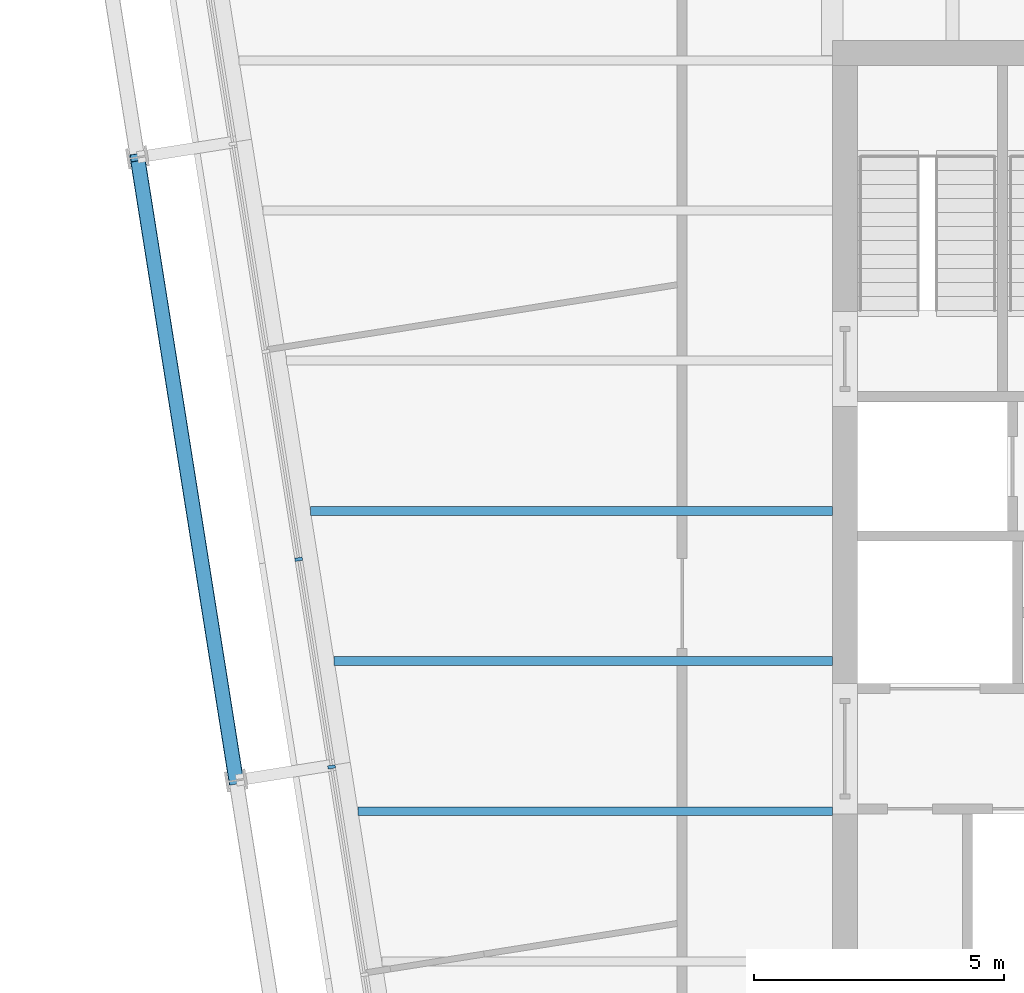
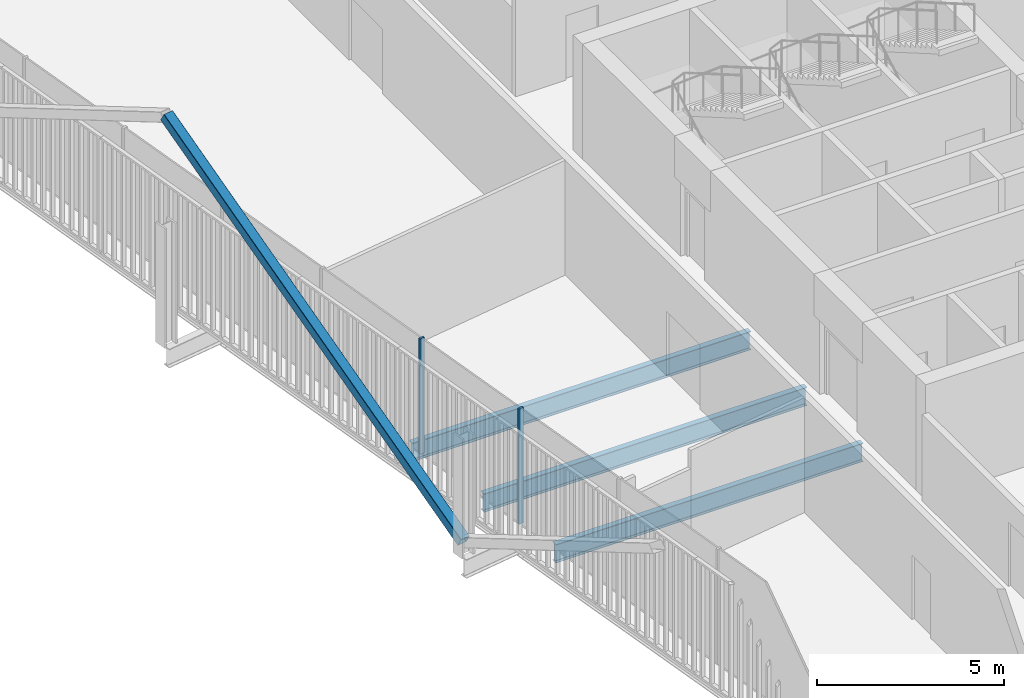
# One storey, part 5 of 21: 3 beams, 3 members, 1 element without a shape of its own.
"""IFC4 building model written with IfcOpenShell, lengths in metres."""

from ifc_helpers import new_model, si_unit, direction, frame, origin, origin_2d, place, context, subcontext, project, spatial, rectangle, hollow_rectangle, i_section, extrude, material, layer, layer_set, material_profile, profile_set, type_object, element, aggregate, save


model = new_model("IFC4")

# Units and contexts
model_context = context("Model", 3, precision=1e-05, world=origin(), true_north=direction((0.0, 1.0)))
body_context = subcontext(model_context, "Body", "Model", "MODEL_VIEW")
ifc_project = project(units=[si_unit("LENGTHUNIT", "METRE"), si_unit("AREAUNIT", "SQUARE_METRE"), si_unit("VOLUMEUNIT", "CUBIC_METRE"), si_unit("PLANEANGLEUNIT", "RADIAN"), si_unit("MASSUNIT", "GRAM", prefix="KILO")], contexts=[model_context])

# Site, building, storey
site_placement = place(None, origin())
site = spatial("IfcSite", under=ifc_project, at=site_placement, CompositionType="ELEMENT")
building_placement = place(site_placement, origin())
building = spatial("IfcBuilding", under=site, at=building_placement, Name="Millrace Tower", CompositionType="ELEMENT")
storey_placement = place(building_placement, frame((0.0, 0.0, 212.5)))
storey = spatial("IfcBuildingStorey", under=building, at=storey_placement, Name="L48", CompositionType="ELEMENT", Elevation=212.5)

# Curtain wall, members
ifc_material_1 = material(Name="Aluminium and glass", Category="aluminium")
ifc_layer = layer(ifc_material_1, 0.14990234375)
ifc_layer_set = layer_set([ifc_layer], Name="Aluminium and glass")
curtain_wall_type = type_object("IfcCurtainWallType", Name="CW-1 office vision curtain wall", PredefinedType="NOTDEFINED", material=ifc_layer_set)
curtain_wall_placement = place(storey_placement, origin())
curtain_wall = element("IfcCurtainWall", 1, at=curtain_wall_placement, inside=storey, type_object=curtain_wall_type, Name="Curtain wall D-F08 L48", PredefinedType="NOTDEFINED")
ifc_material_2 = material(Name="Aluminium", Category="aluminium")
ifc_material_profile_1 = material_profile(ifc_material_2, rectangle(XDim=0.06494140625, YDim=0.14990234375, at=origin_2d()))
ifc_profile_set_1 = profile_set([ifc_material_profile_1], Name="Aluminium")
member_type_1 = type_object("IfcMemberType", Name="CW-1 office vision curtain wall mullion", PredefinedType="MULLION", material=ifc_profile_set_1)
member_1_placement = place(storey_placement, frame((-25.057373046875, -0.966064453125, 0.139892578125), z_axis=(0.0, 0.0, 1.0), x_axis=(0.156434471884, -0.987688339511, 0.0)))
member_1 = element("IfcMember", 2, at=member_1_placement, type_object=member_type_1, Name="CW1 mullion D-F08.6", PredefinedType="MULLION", context=body_context, shape_type="SweptSolid", body=[
    extrude(rectangle(XDim=0.06494140625, YDim=0.14990234375, at=origin_2d()), origin(), (0.0, 0.0, 1.0), 3.760009765625),
])
member_2_placement = place(storey_placement, frame((-24.400390625, -5.1142578125, 0.139892578125), z_axis=(0.0, 0.0, 1.0), x_axis=(0.156434471884, -0.987688339511, 0.0)))
member_2 = element("IfcMember", 3, at=member_2_placement, type_object=member_type_1, Name="CW1 mullion D-F08.7", PredefinedType="MULLION", context=body_context, shape_type="SweptSolid", body=[
    extrude(rectangle(XDim=0.06494140625, YDim=0.14990234375, at=origin_2d()), origin(), (0.0, 0.0, 1.0), 3.760009765625),
])
aggregate(curtain_wall, [member_1, member_2])

# Member
ifc_material_3 = material(Name="Steel ASTM A500 Grade C", Category="steel")
ifc_material_profile_2 = material_profile(ifc_material_3, hollow_rectangle(XDim=0.3046875, YDim=0.3046875, WallThickness=0.0126953125, InnerFilletRadius=0.00634765625, OuterFilletRadius=0.01904296875, at=origin_2d()))
ifc_profile_set_2 = profile_set([ifc_material_profile_2], Name="Steel ASTM A500 Grade C")
member_type_2 = type_object("IfcMemberType", Name="Exoskeleton brace HSS12x12x1/2", PredefinedType="BRACE", material=ifc_profile_set_2)
member_3_placement = place(storey_placement, frame((-26.306640625, -5.38330078125, 0.39990234375), z_axis=(-0.136756701563, 0.863393126764, 0.485643813132), x_axis=(-0.987686809102, -0.1564441342, 0.0)))
element("IfcMember", 4, at=member_3_placement, inside=storey, type_object=member_type_2, Name="BRC-D-L48-15", PredefinedType="BRACE", context=body_context, shape_type="SweptSolid", body=[
    extrude(hollow_rectangle(XDim=0.3046875, YDim=0.3046875, WallThickness=0.0126953125, InnerFilletRadius=0.00634765625, OuterFilletRadius=0.01904296875, at=origin_2d()), origin(), (0.0, 0.0, 1.0), 14.413818359375),
])

# Beams
ifc_material_4 = material(Name="Steel ASTM A992 Grade 50", Category="steel")
ifc_material_profile_3 = material_profile(ifc_material_4, i_section(OverallWidth=0.177978515625, OverallDepth=0.599365234375, WebThickness=0.010009765625, FlangeThickness=0.012939453125, FilletRadius=0.012939453125, at=origin_2d()))
ifc_profile_set_3 = profile_set([ifc_material_profile_3], Name="Steel ASTM A992 Grade 50")
beam_type_1 = type_object("IfcBeamType", Name="Floor beam W24x55", PredefinedType="JOIST", material=ifc_profile_set_3)
beam_1_placement = place(storey_placement, frame((-23.872802734375, -6.0, -0.459716796875), z_axis=(1.0, 0.0, 0.0), x_axis=(0.0, 1.0, 0.0)))
element("IfcBeam", 5, at=beam_1_placement, inside=storey, type_object=beam_type_1, Name="BM-D-L48-S1-S009", PredefinedType="JOIST", context=body_context, shape_type="SweptSolid", body=[
    extrude(i_section(OverallWidth=0.177978515625, OverallDepth=0.599365234375, WebThickness=0.010009765625, FlangeThickness=0.012939453125, FilletRadius=0.012939453125, at=origin_2d()), origin(), (0.0, 0.0, 1.0), 9.472900390625),
])
beam_2_placement = place(storey_placement, frame((-24.34814453125, -3.0, -0.459716796875), z_axis=(1.0, 0.0, 0.0), x_axis=(0.0, 1.0, 0.0)))
element("IfcBeam", 6, at=beam_2_placement, inside=storey, type_object=beam_type_1, Name="BM-D-L48-S1-S012", PredefinedType="JOIST", context=body_context, shape_type="SweptSolid", body=[
    extrude(i_section(OverallWidth=0.177978515625, OverallDepth=0.599365234375, WebThickness=0.010009765625, FlangeThickness=0.012939453125, FilletRadius=0.012939453125, at=origin_2d()), origin(), (0.0, 0.0, 1.0), 9.9482421875),
])
ifc_material_5 = material(Name="Steel ASTM A992 Grade 50", Category="steel")
ifc_material_profile_4 = material_profile(ifc_material_5, i_section(OverallWidth=0.1787109375, OverallDepth=0.60205078125, WebThickness=0.010986328125, FlangeThickness=0.014892578125, FilletRadius=0.0126953125, at=origin_2d()))
ifc_profile_set_4 = profile_set([ifc_material_profile_4], Name="Steel ASTM A992 Grade 50")
beam_type_2 = type_object("IfcBeamType", Name="Floor beam W24x62", PredefinedType="JOIST", material=ifc_profile_set_4)
beam_3_placement = place(storey_placement, frame((-24.8232421875, 0.0, -0.4609375), z_axis=(1.0, 0.0, 0.0), x_axis=(0.0, 1.0, 0.0)))
element("IfcBeam", 7, at=beam_3_placement, inside=storey, type_object=beam_type_2, Name="BM-D-L48-S1-S015", PredefinedType="JOIST", context=body_context, shape_type="SweptSolid", body=[
    extrude(i_section(OverallWidth=0.1787109375, OverallDepth=0.60205078125, WebThickness=0.010986328125, FlangeThickness=0.014892578125, FilletRadius=0.0126953125, at=origin_2d()), origin(), (0.0, 0.0, 1.0), 10.42333984375),
])

save(model, "model.ifc")
